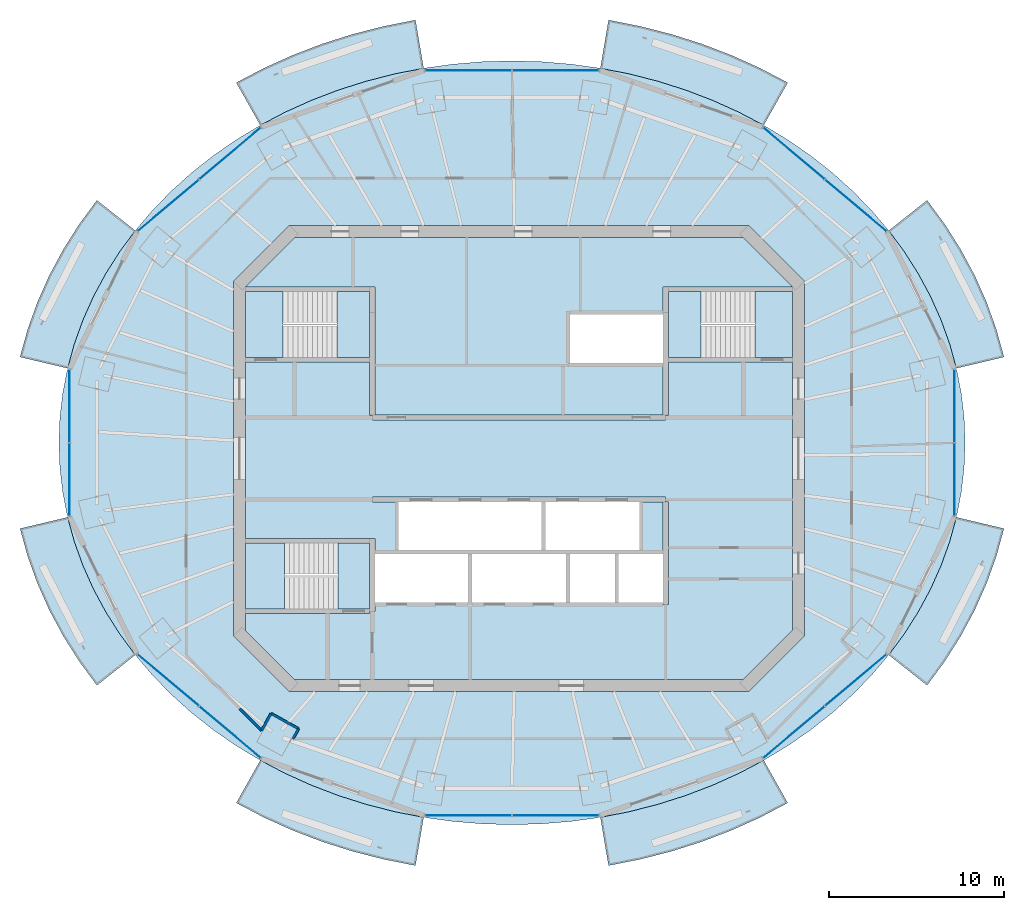
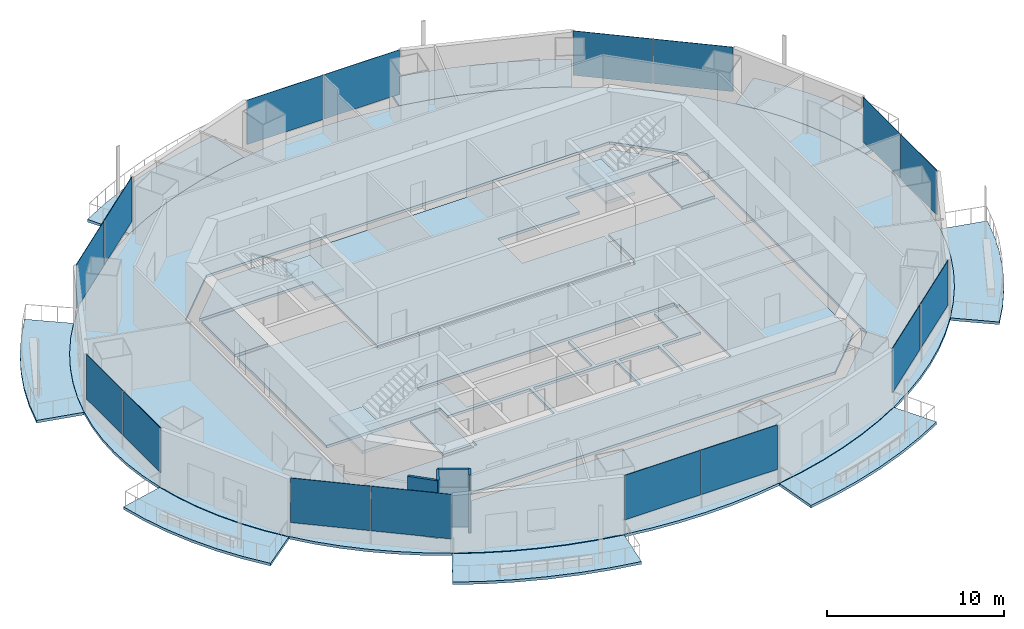
# One storey, part 7 of 16: 17 slabs, 16 plates, 4 walls, 11 elements without a shape of their own.
"""IFC4 building model written with IfcOpenShell, lengths in metres."""

from ifc_helpers import new_model, si_unit, direction, frame, frame_2d, origin, origin_2d, place, context, subcontext, project, spatial, polyline, rectangle, outline, extrude, material, layer, layer_set, type_object, element, aggregate, save


model = new_model("IFC4")

# Units and contexts
model_context = context("Model", 3, precision=1e-05, world=origin(), true_north=direction((0.0, 1.0)))
body_context = subcontext(model_context, "Body", "Model", "MODEL_VIEW")
ifc_project = project(units=[si_unit("LENGTHUNIT", "METRE"), si_unit("AREAUNIT", "SQUARE_METRE"), si_unit("VOLUMEUNIT", "CUBIC_METRE"), si_unit("PLANEANGLEUNIT", "RADIAN"), si_unit("MASSUNIT", "GRAM", prefix="KILO")], contexts=[model_context])

# Site, building, storey
site_placement = place(None, origin())
site = spatial("IfcSite", under=ifc_project, at=site_placement, CompositionType="ELEMENT")
building_placement = place(site_placement, origin())
building = spatial("IfcBuilding", under=site, at=building_placement, Name="Marenthal Gate Tower", CompositionType="ELEMENT")
storey_placement = place(building_placement, frame((0.0, 0.0, 375.800048828125)))
storey = spatial("IfcBuildingStorey", under=building, at=storey_placement, Name="L85", CompositionType="ELEMENT", Elevation=375.800048828125)

# Slabs
ifc_material_1 = material(Name="Concrete 40 MPa", Category="concrete")
ifc_layer_1 = layer(ifc_material_1, 0.179931640625)
ifc_layer_set_1 = layer_set([ifc_layer_1], Name="Balcony deck 180")
slab_type_1 = type_object("IfcSlabType", Name="Balcony deck 180", PredefinedType="USERDEFINED", material=ifc_layer_set_1)
slab_1_placement = place(storey_placement, frame((0.0, 0.0, -0.219970703125)))
element("IfcSlab", 1, at=slab_1_placement, inside=storey, type_object=slab_type_1, Name="Balcony deck L85 bay 1", ObjectType="BALCONY", PredefinedType="USERDEFINED", context=body_context, shape_type="SweptSolid", body=[
    extrude(outline(polyline([(25.04345703125, 5.16552734375), (24.657958984375, 6.55908203125), (24.165283203125, 7.92822265625), (23.5673828125, 9.267333984375), (22.86669921875, 10.570556640625), (22.06640625, 11.83251953125), (21.169921875, 13.047607421875), (23.3642578125, 14.786865234375), (24.37646484375, 13.414794921875), (25.283447265625, 11.984619140625), (26.080322265625, 10.50244140625), (26.762451171875, 8.974365234375), (27.326416015625, 7.407470703125), (27.7685546875, 5.808837890625), (25.04345703125, 5.16552734375)])), origin(), (0.0, 0.0, 1.0), 0.179931640625),
])
slab_2_placement = place(storey_placement, frame((0.0, 0.0, -0.219970703125)))
element("IfcSlab", 2, at=slab_2_placement, inside=storey, type_object=slab_type_1, Name="Balcony deck L85 bay 3", ObjectType="BALCONY", PredefinedType="USERDEFINED", context=body_context, shape_type="SweptSolid", body=[
    extrude(outline(polyline([(14.0126953125, 19.080078125), (12.571044921875, 19.835693359375), (11.073974609375, 20.510009765625), (9.527587890625, 21.1005859375), (7.938720703125, 21.6044921875), (6.314208984375, 22.02001953125), (4.660888671875, 22.344970703125), (5.1240234375, 25.1064453125), (6.93115234375, 24.751220703125), (8.708984375, 24.296630859375), (10.450439453125, 23.744140625), (12.148681640625, 23.095703125), (13.796142578125, 22.353271484375), (15.386474609375, 21.519775390625), (14.0126953125, 19.080078125)])), origin(), (0.0, 0.0, 1.0), 0.179931640625),
])
slab_3_placement = place(storey_placement, frame((0.0, 0.0, -0.219970703125)))
element("IfcSlab", 3, at=slab_3_placement, inside=storey, type_object=slab_type_1, Name="Balcony deck L85 bay 5", ObjectType="BALCONY", PredefinedType="USERDEFINED", context=body_context, shape_type="SweptSolid", body=[
    extrude(outline(polyline([(-5.4609375, 22.344970703125), (-7.1142578125, 22.02001953125), (-8.73876953125, 21.6044921875), (-10.32763671875, 21.1005859375), (-11.873779296875, 20.510009765625), (-13.37109375, 19.835693359375), (-14.8125, 19.080078125), (-16.1865234375, 21.519775390625), (-14.59619140625, 22.353271484375), (-12.948486328125, 23.095703125), (-11.25048828125, 23.744140625), (-9.509033203125, 24.296630859375), (-7.731201171875, 24.751220703125), (-5.924072265625, 25.1064453125), (-5.4609375, 22.344970703125)])), origin(), (0.0, 0.0, 1.0), 0.179931640625),
])
slab_4_placement = place(storey_placement, frame((0.0, 0.0, -0.219970703125)))
element("IfcSlab", 4, at=slab_4_placement, inside=storey, type_object=slab_type_1, Name="Balcony deck L85 bay 7", ObjectType="BALCONY", PredefinedType="USERDEFINED", context=body_context, shape_type="SweptSolid", body=[
    extrude(outline(polyline([(-21.969970703125, 13.047607421875), (-22.866455078125, 11.83251953125), (-23.666748046875, 10.570556640625), (-24.3671875, 9.267333984375), (-24.96533203125, 7.92822265625), (-25.4580078125, 6.55908203125), (-25.843505859375, 5.16552734375), (-28.568603515625, 5.808837890625), (-28.12646484375, 7.407470703125), (-27.5625, 8.974365234375), (-26.880126953125, 10.50244140625), (-26.08349609375, 11.984619140625), (-25.176513671875, 13.414794921875), (-24.1640625, 14.786865234375), (-21.969970703125, 13.047607421875)])), origin(), (0.0, 0.0, 1.0), 0.179931640625),
])
slab_5_placement = place(storey_placement, frame((0.0, 0.0, -0.219970703125)))
element("IfcSlab", 5, at=slab_5_placement, inside=storey, type_object=slab_type_1, Name="Balcony deck L85 bay 9", ObjectType="BALCONY", PredefinedType="USERDEFINED", context=body_context, shape_type="SweptSolid", body=[
    extrude(outline(polyline([(-25.843505859375, -3.365478515625), (-25.4580078125, -4.759033203125), (-24.96533203125, -6.12841796875), (-24.3671875, -7.46728515625), (-23.666748046875, -8.7705078125), (-22.866455078125, -10.032470703125), (-21.969970703125, -11.24755859375), (-24.1640625, -12.987060546875), (-25.176513671875, -11.61474609375), (-26.08349609375, -10.1845703125), (-26.880126953125, -8.702392578125), (-27.5625, -7.17431640625), (-28.12646484375, -5.607421875), (-28.568603515625, -4.0087890625), (-25.843505859375, -3.365478515625)])), origin(), (0.0, 0.0, 1.0), 0.179931640625),
])
slab_6_placement = place(storey_placement, frame((0.0, 0.0, -0.219970703125)))
element("IfcSlab", 6, at=slab_6_placement, inside=storey, type_object=slab_type_1, Name="Balcony deck L85 bay 11", ObjectType="BALCONY", PredefinedType="USERDEFINED", context=body_context, shape_type="SweptSolid", body=[
    extrude(outline(polyline([(-14.8125, -17.280029296875), (-13.37109375, -18.03564453125), (-11.873779296875, -18.710205078125), (-10.32763671875, -19.300537109375), (-8.73876953125, -19.8046875), (-7.1142578125, -20.219970703125), (-5.4609375, -20.544921875), (-5.924072265625, -23.306396484375), (-7.731201171875, -22.951171875), (-9.509033203125, -22.49658203125), (-11.25048828125, -21.944091796875), (-12.948486328125, -21.295654296875), (-14.59619140625, -20.55322265625), (-16.1865234375, -19.7197265625), (-14.8125, -17.280029296875)])), origin(), (0.0, 0.0, 1.0), 0.179931640625),
])
slab_7_placement = place(storey_placement, frame((0.0, 0.0, -0.219970703125)))
element("IfcSlab", 7, at=slab_7_placement, inside=storey, type_object=slab_type_1, Name="Balcony deck L85 bay 13", ObjectType="BALCONY", PredefinedType="USERDEFINED", context=body_context, shape_type="SweptSolid", body=[
    extrude(outline(polyline([(4.660888671875, -20.544921875), (6.314208984375, -20.219970703125), (7.938720703125, -19.8046875), (9.527587890625, -19.300537109375), (11.073974609375, -18.710205078125), (12.571044921875, -18.03564453125), (14.0126953125, -17.280029296875), (15.386474609375, -19.7197265625), (13.796142578125, -20.55322265625), (12.148681640625, -21.295654296875), (10.450439453125, -21.944091796875), (8.708984375, -22.49658203125), (6.93115234375, -22.951171875), (5.1240234375, -23.306396484375), (4.660888671875, -20.544921875)])), origin(), (0.0, 0.0, 1.0), 0.179931640625),
])
slab_8_placement = place(storey_placement, frame((0.0, 0.0, -0.219970703125)))
element("IfcSlab", 8, at=slab_8_placement, inside=storey, type_object=slab_type_1, Name="Balcony deck L85 bay 15", ObjectType="BALCONY", PredefinedType="USERDEFINED", context=body_context, shape_type="SweptSolid", body=[
    extrude(outline(polyline([(21.169921875, -11.24755859375), (22.06640625, -10.032470703125), (22.86669921875, -8.7705078125), (23.5673828125, -7.46728515625), (24.165283203125, -6.12841796875), (24.657958984375, -4.759033203125), (25.04345703125, -3.365478515625), (27.7685546875, -4.0087890625), (27.326416015625, -5.607421875), (26.762451171875, -7.17431640625), (26.080322265625, -8.702392578125), (25.283447265625, -10.1845703125), (24.37646484375, -11.61474609375), (23.3642578125, -12.987060546875), (21.169921875, -11.24755859375)])), origin(), (0.0, 0.0, 1.0), 0.179931640625),
])
ifc_material_2 = material(Name="Concrete 50 MPa", Category="concrete")
ifc_layer_2 = layer(ifc_material_2, 0.179931640625)
ifc_layer_set_2 = layer_set([ifc_layer_2], Name="Core floor slab 180")
slab_type_2 = type_object("IfcSlabType", Name="Core floor slab 180", PredefinedType="FLOOR", material=ifc_layer_set_2)
slab_9_placement = place(storey_placement, frame((0.0, 0.0, -0.179931640625)))
element("IfcSlab", 9, at=slab_9_placement, inside=storey, type_object=slab_type_2, Name="Core floor L85", PredefinedType="FLOOR", context=body_context, shape_type="SweptSolid", body=[
    extrude(outline(polyline([(12.85498046875, -12.64990234375), (-12.85498046875, -12.64990234375), (-15.64990234375, -9.85498046875), (-15.64990234375, -8.875), (-8.550048828125, -8.875), (-8.550048828125, -8.75), (-8.25, -8.75), (-8.25, -8.239990234375), (-5.60009765625, -8.239990234375), (-2.909912109375, -8.239990234375), (-2.909912109375, -5.4599609375), (-5.60009765625, -5.4599609375), (-8.25, -5.4599609375), (-8.25, -4.574951171875), (-8.550048828125, -4.574951171875), (-15.64990234375, -4.574951171875), (-15.64990234375, 5.52490234375), (-8.550048828125, 5.52490234375), (-8.550048828125, 2.5), (-8.39990234375, 2.5), (-8.39990234375, 2.199951171875), (8.39990234375, 2.199951171875), (8.39990234375, 2.5), (8.550048828125, 2.5), (8.550048828125, 5.52490234375), (15.64990234375, 5.52490234375), (15.64990234375, -9.85498046875), (12.85498046875, -12.64990234375)]), holes=[polyline([(0.0, -8.239990234375), (2.68994140625, -8.239990234375), (2.68994140625, -5.4599609375), (0.0, -5.4599609375), (-2.68994140625, -5.4599609375), (-2.68994140625, -8.239990234375), (0.0, -8.239990234375)]), polyline([(1.2900390625, -5.239990234375), (1.2900390625, -2.5), (1.510009765625, -2.5), (1.510009765625, -5.239990234375), (4.199951171875, -5.239990234375), (6.889892578125, -5.239990234375), (6.889892578125, -2.5), (8.25, -2.5), (8.25, -5.4599609375), (5.7099609375, -5.4599609375), (5.7099609375, -8.239990234375), (8.25, -8.239990234375), (8.25, -8.35009765625), (8.550048828125, -8.35009765625), (8.550048828125, -2.5), (8.39990234375, -2.5), (8.39990234375, -2.199951171875), (-8.39990234375, -2.199951171875), (-8.39990234375, -2.5), (-6.889892578125, -2.5), (-6.889892578125, -5.239990234375), (-4.199951171875, -5.239990234375), (-1.39990234375, -5.239990234375), (1.2900390625, -5.239990234375)]), polyline([(5.489990234375, -5.4599609375), (2.909912109375, -5.4599609375), (2.909912109375, -8.239990234375), (5.489990234375, -8.239990234375), (5.489990234375, -5.4599609375)])]), origin(), (0.0, 0.0, 1.0), 0.179931640625),
])
slab_10_placement = place(storey_placement, frame((0.0, 0.0, -0.179931640625)))
element("IfcSlab", 10, at=slab_10_placement, inside=storey, type_object=slab_type_2, Name="Core floor L85", PredefinedType="FLOOR", context=body_context, shape_type="SweptSolid", body=[
    extrude(outline(polyline([(15.64990234375, 5.77490234375), (13.5, 5.77490234375), (13.5, 9.574951171875), (15.64990234375, 9.574951171875), (15.64990234375, 5.77490234375)])), origin(), (0.0, 0.0, 1.0), 0.179931640625),
])
slab_11_placement = place(storey_placement, frame((0.0, 0.0, -0.179931640625)))
element("IfcSlab", 11, at=slab_11_placement, inside=storey, type_object=slab_type_2, Name="Core floor L85", PredefinedType="FLOOR", context=body_context, shape_type="SweptSolid", body=[
    extrude(outline(polyline([(15.64990234375, 9.824951171875), (8.550048828125, 9.824951171875), (8.25, 9.824951171875), (8.25, 8.35009765625), (8.25, 8.239990234375), (5.60009765625, 8.239990234375), (2.909912109375, 8.239990234375), (2.909912109375, 5.4599609375), (5.60009765625, 5.4599609375), (8.25, 5.4599609375), (8.25, 2.5), (-8.25, 2.5), (-8.25, 8.35009765625), (-8.25, 9.824951171875), (-8.550048828125, 9.824951171875), (-15.64990234375, 9.824951171875), (-15.64990234375, 9.85498046875), (-12.85498046875, 12.64990234375), (12.85498046875, 12.64990234375), (15.64990234375, 9.85498046875), (15.64990234375, 9.824951171875)])), origin(), (0.0, 0.0, 1.0), 0.179931640625),
])
slab_12_placement = place(storey_placement, frame((0.0, 0.0, -0.179931640625)))
element("IfcSlab", 12, at=slab_12_placement, inside=storey, type_object=slab_type_2, Name="Core floor L85", PredefinedType="FLOOR", context=body_context, shape_type="SweptSolid", body=[
    extrude(outline(polyline([(-15.64990234375, 9.574951171875), (-13.5, 9.574951171875), (-13.5, 5.77490234375), (-15.64990234375, 5.77490234375), (-15.64990234375, 9.574951171875)])), origin(), (0.0, 0.0, 1.0), 0.179931640625),
])
slab_13_placement = place(storey_placement, frame((0.0, 0.0, -0.179931640625)))
element("IfcSlab", 13, at=slab_13_placement, inside=storey, type_object=slab_type_2, Name="Core floor L85", PredefinedType="FLOOR", context=body_context, shape_type="SweptSolid", body=[
    extrude(outline(polyline([(-8.550048828125, -4.824951171875), (-8.550048828125, -8.625), (-10.35009765625, -8.625), (-10.35009765625, -4.824951171875), (-8.550048828125, -4.824951171875)])), origin(), (0.0, 0.0, 1.0), 0.179931640625),
])
ifc_material_3 = material(Name="Concrete 35 MPa", Category="concrete")
ifc_layer_3 = layer(ifc_material_3, 0.179931640625)
ifc_layer_set_3 = layer_set([ifc_layer_3], Name="Floor slab 180")
slab_type_3 = type_object("IfcSlabType", Name="Floor slab 180", PredefinedType="FLOOR", material=ifc_layer_set_3)
slab_14_placement = place(storey_placement, frame((0.0, 0.0, -0.179931640625)))
element("IfcSlab", 14, at=slab_14_placement, inside=storey, type_object=slab_type_3, Name="SL-L85-01", PredefinedType="FLOOR", context=body_context, shape_type="SweptSolid", body=[
    extrude(outline(polyline([(25.5419921875, 0.89990234375), (25.486572265625, 2.330078125), (25.320068359375, 3.75390625), (25.04345703125, 5.16552734375), (24.657958984375, 6.55908203125), (24.165283203125, 7.92822265625), (23.5673828125, 9.267333984375), (22.86669921875, 10.570556640625), (22.06640625, 11.83251953125), (21.169921875, 13.047607421875), (20.18115234375, 14.210693359375), (19.104248046875, 15.316650390625), (17.94384765625, 16.36083984375), (16.70458984375, 17.339111328125), (15.392578125, 18.24658203125), (14.0126953125, 19.080078125), (12.571044921875, 19.835693359375), (11.073974609375, 20.510009765625), (9.527587890625, 21.1005859375), (7.938720703125, 21.6044921875), (6.314208984375, 22.02001953125), (4.660888671875, 22.344970703125), (2.986083984375, 22.577880859375), (1.296630859375, 22.71826171875), (-0.39990234375, 22.764892578125), (-2.0966796875, 22.71826171875), (-3.7861328125, 22.577880859375), (-5.4609375, 22.344970703125), (-7.1142578125, 22.02001953125), (-8.73876953125, 21.6044921875), (-10.32763671875, 21.1005859375), (-11.873779296875, 20.510009765625), (-13.37109375, 19.835693359375), (-14.8125, 19.080078125), (-16.1923828125, 18.24658203125), (-17.504638671875, 17.339111328125), (-18.743896484375, 16.36083984375), (-19.904296875, 15.316650390625), (-20.981201171875, 14.210693359375), (-21.969970703125, 13.047607421875), (-22.866455078125, 11.83251953125), (-23.666748046875, 10.570556640625), (-24.3671875, 9.267333984375), (-24.96533203125, 7.92822265625), (-25.4580078125, 6.55908203125), (-25.843505859375, 5.16552734375), (-26.1201171875, 3.75390625), (-26.28662109375, 2.330078125), (-26.342041015625, 0.89990234375), (-26.28662109375, -0.530029296875), (-26.1201171875, -1.9541015625), (-25.843505859375, -3.365478515625), (-25.4580078125, -4.759033203125), (-24.96533203125, -6.12841796875), (-24.3671875, -7.46728515625), (-23.666748046875, -8.7705078125), (-22.866455078125, -10.032470703125), (-21.969970703125, -11.24755859375), (-20.981201171875, -12.41064453125), (-19.904296875, -13.5166015625), (-18.743896484375, -14.560791015625), (-17.504638671875, -15.5390625), (-16.1923828125, -16.44677734375), (-14.8125, -17.280029296875), (-13.37109375, -18.03564453125), (-11.873779296875, -18.710205078125), (-10.32763671875, -19.300537109375), (-8.73876953125, -19.8046875), (-7.1142578125, -20.219970703125), (-5.4609375, -20.544921875), (-3.7861328125, -20.77783203125), (-2.0966796875, -20.918212890625), (-0.39990234375, -20.965087890625), (1.296630859375, -20.918212890625), (2.986083984375, -20.77783203125), (4.660888671875, -20.544921875), (6.314208984375, -20.219970703125), (7.938720703125, -19.8046875), (9.527587890625, -19.300537109375), (11.073974609375, -18.710205078125), (12.571044921875, -18.03564453125), (14.0126953125, -17.280029296875), (15.392578125, -16.44677734375), (16.70458984375, -15.5390625), (17.94384765625, -14.560791015625), (19.104248046875, -13.5166015625), (20.18115234375, -12.41064453125), (21.169921875, -11.24755859375), (22.06640625, -10.032470703125), (22.86669921875, -8.7705078125), (23.5673828125, -7.46728515625), (24.165283203125, -6.12841796875), (24.657958984375, -4.759033203125), (25.04345703125, -3.365478515625), (25.320068359375, -1.9541015625), (25.486572265625, -0.530029296875), (25.5419921875, 0.89990234375)]), holes=[polyline([(13.14501953125, -13.35009765625), (16.35009765625, -10.14501953125), (16.35009765625, 10.14501953125), (13.14501953125, 13.35009765625), (-13.14501953125, 13.35009765625), (-16.35009765625, 10.14501953125), (-16.35009765625, -10.14501953125), (-13.14501953125, -13.35009765625), (13.14501953125, -13.35009765625)])]), origin(), (0.0, 0.0, 1.0), 0.179931640625),
])

# Curtain wall, plates
ifc_material_4 = material(Name="Aluminium and glass", Category="aluminium")
curtain_wall_type = type_object("IfcCurtainWallType", Name="Curtain wall typical high", PredefinedType="NOTDEFINED", material=ifc_material_4)
curtain_wall_1_placement = place(storey_placement, origin())
curtain_wall_1 = element("IfcCurtainWall", 15, at=curtain_wall_1_placement, inside=storey, type_object=curtain_wall_type, Name="Curtain wall L85 bay 2", PredefinedType="NOTDEFINED")
ifc_material_5 = material(Name="Glass, laminated insulating unit", Category="glass")
ifc_layer_4 = layer(ifc_material_5, 0.031982421875)
ifc_layer_set_4 = layer_set([ifc_layer_4], Name="Glass panel 32 typical high")
plate_type = type_object("IfcPlateType", Name="Glass panel 32 typical high", PredefinedType="CURTAIN_PANEL", material=ifc_layer_set_4)
plate_1_placement = place(storey_placement, frame((19.277587890625, 14.490478515625, 0.89990234375), z_axis=(0.0, 0.0, 1.0), x_axis=(-0.764911754961, 0.64413508453, 0.0)))
plate_1 = element("IfcPlate", 16, at=plate_1_placement, type_object=plate_type, Name="Glass panel L85 bay 2.1", PredefinedType="CURTAIN_PANEL", context=body_context, shape_type="SweptSolid", body=[
    extrude(rectangle(XDim=4.56689453125, YDim=0.031982421875, at=origin_2d()), origin(), (0.0, 0.0, 1.0), 3.070068359375),
])
plate_2_placement = place(storey_placement, frame((15.738525390625, 17.470703125, 0.89990234375), z_axis=(0.0, 0.0, 1.0), x_axis=(-0.764911754961, 0.64413508453, 0.0)))
plate_2 = element("IfcPlate", 17, at=plate_2_placement, type_object=plate_type, Name="Glass panel L85 bay 2.2", PredefinedType="CURTAIN_PANEL", context=body_context, shape_type="SweptSolid", body=[
    extrude(rectangle(XDim=4.56689453125, YDim=0.031982421875, at=origin_2d()), origin(), (0.0, 0.0, 1.0), 3.070068359375),
])
aggregate(curtain_wall_1, [plate_1, plate_2])

curtain_wall_2_placement = place(storey_placement, origin())
curtain_wall_2 = element("IfcCurtainWall", 18, at=curtain_wall_2_placement, inside=storey, type_object=curtain_wall_type, Name="Curtain wall L85 bay 4", PredefinedType="NOTDEFINED")
plate_3_placement = place(storey_placement, frame((2.103759765625, 22.227294921875, 0.89990234375), z_axis=(0.0, 0.0, 1.0), x_axis=(-1.0, 0.0, 0.0)))
plate_3 = element("IfcPlate", 19, at=plate_3_placement, type_object=plate_type, Name="Glass panel L85 bay 4.1", PredefinedType="CURTAIN_PANEL", context=body_context, shape_type="SweptSolid", body=[
    extrude(rectangle(XDim=4.947509765625, YDim=0.031982421875, at=origin_2d()), origin(), (0.0, 0.0, 1.0), 3.070068359375),
])
plate_4_placement = place(storey_placement, frame((-2.90380859375, 22.227294921875, 0.89990234375), z_axis=(0.0, 0.0, 1.0), x_axis=(-1.0, 0.0, 0.0)))
plate_4 = element("IfcPlate", 20, at=plate_4_placement, type_object=plate_type, Name="Glass panel L85 bay 4.2", PredefinedType="CURTAIN_PANEL", context=body_context, shape_type="SweptSolid", body=[
    extrude(rectangle(XDim=4.947509765625, YDim=0.031982421875, at=origin_2d()), origin(), (0.0, 0.0, 1.0), 3.070068359375),
])
aggregate(curtain_wall_2, [plate_3, plate_4])

curtain_wall_3_placement = place(storey_placement, origin())
curtain_wall_3 = element("IfcCurtainWall", 21, at=curtain_wall_3_placement, inside=storey, type_object=curtain_wall_type, Name="Curtain wall L85 bay 6", PredefinedType="NOTDEFINED")
plate_5_placement = place(storey_placement, frame((-16.538330078125, 17.470703125, 0.89990234375), z_axis=(0.0, 0.0, 1.0), x_axis=(-0.764911754961, -0.64413508453, 0.0)))
plate_5 = element("IfcPlate", 22, at=plate_5_placement, type_object=plate_type, Name="Glass panel L85 bay 6.1", PredefinedType="CURTAIN_PANEL", context=body_context, shape_type="SweptSolid", body=[
    extrude(rectangle(XDim=4.56689453125, YDim=0.031982421875, at=origin_2d()), origin(), (0.0, 0.0, 1.0), 3.070068359375),
])
plate_6_placement = place(storey_placement, frame((-20.07763671875, 14.490478515625, 0.89990234375), z_axis=(0.0, 0.0, 1.0), x_axis=(-0.764911754961, -0.64413508453, 0.0)))
plate_6 = element("IfcPlate", 23, at=plate_6_placement, type_object=plate_type, Name="Glass panel L85 bay 6.2", PredefinedType="CURTAIN_PANEL", context=body_context, shape_type="SweptSolid", body=[
    extrude(rectangle(XDim=4.56689453125, YDim=0.031982421875, at=origin_2d()), origin(), (0.0, 0.0, 1.0), 3.070068359375),
])
aggregate(curtain_wall_3, [plate_5, plate_6])

curtain_wall_4_placement = place(storey_placement, origin())
curtain_wall_4 = element("IfcCurtainWall", 24, at=curtain_wall_4_placement, inside=storey, type_object=curtain_wall_type, Name="Curtain wall L85 bay 8", PredefinedType="NOTDEFINED")
plate_7_placement = place(storey_placement, frame((-25.725830078125, 3.006103515625, 0.89990234375), z_axis=(0.0, 0.0, 1.0), x_axis=(0.0, -1.0, 0.0)))
plate_7 = element("IfcPlate", 25, at=plate_7_placement, type_object=plate_type, Name="Glass panel L85 bay 8.1", PredefinedType="CURTAIN_PANEL", context=body_context, shape_type="SweptSolid", body=[
    extrude(rectangle(XDim=4.152099609375, YDim=0.031982421875, at=origin_2d()), origin(), (0.0, 0.0, 1.0), 3.070068359375),
])
plate_8_placement = place(storey_placement, frame((-25.725830078125, -1.2060546875, 0.89990234375), z_axis=(0.0, 0.0, 1.0), x_axis=(0.0, -1.0, 0.0)))
plate_8 = element("IfcPlate", 26, at=plate_8_placement, type_object=plate_type, Name="Glass panel L85 bay 8.2", PredefinedType="CURTAIN_PANEL", context=body_context, shape_type="SweptSolid", body=[
    extrude(rectangle(XDim=4.152099609375, YDim=0.031982421875, at=origin_2d()), origin(), (0.0, 0.0, 1.0), 3.070068359375),
])
aggregate(curtain_wall_4, [plate_7, plate_8])

curtain_wall_5_placement = place(storey_placement, origin())
curtain_wall_5 = element("IfcCurtainWall", 27, at=curtain_wall_5_placement, inside=storey, type_object=curtain_wall_type, Name="Curtain wall L85 bay 10", PredefinedType="NOTDEFINED")
plate_9_placement = place(storey_placement, frame((-20.07763671875, -12.6904296875, 0.89990234375), z_axis=(0.0, 0.0, 1.0), x_axis=(0.764911754961, -0.64413508453, 0.0)))
plate_9 = element("IfcPlate", 28, at=plate_9_placement, type_object=plate_type, Name="Glass panel L85 bay 10.1", PredefinedType="CURTAIN_PANEL", context=body_context, shape_type="SweptSolid", body=[
    extrude(rectangle(XDim=4.56689453125, YDim=0.031982421875, at=origin_2d()), origin(), (0.0, 0.0, 1.0), 3.070068359375),
])
plate_10_placement = place(storey_placement, frame((-16.53857421875, -15.6708984375, 0.89990234375), z_axis=(0.0, 0.0, 1.0), x_axis=(0.764911754961, -0.64413508453, 0.0)))
plate_10 = element("IfcPlate", 29, at=plate_10_placement, type_object=plate_type, Name="Glass panel L85 bay 10.2", PredefinedType="CURTAIN_PANEL", context=body_context, shape_type="SweptSolid", body=[
    extrude(rectangle(XDim=4.56689453125, YDim=0.031982421875, at=origin_2d()), origin(), (0.0, 0.0, 1.0), 3.070068359375),
])
aggregate(curtain_wall_5, [plate_9, plate_10])

curtain_wall_6_placement = place(storey_placement, origin())
curtain_wall_6 = element("IfcCurtainWall", 30, at=curtain_wall_6_placement, inside=storey, type_object=curtain_wall_type, Name="Curtain wall L85 bay 12", PredefinedType="NOTDEFINED")
plate_11_placement = place(storey_placement, frame((-2.90380859375, -20.42724609375, 0.89990234375), z_axis=(0.0, 0.0, 1.0), x_axis=(1.0, 0.0, 0.0)))
plate_11 = element("IfcPlate", 31, at=plate_11_placement, type_object=plate_type, Name="Glass panel L85 bay 12.1", PredefinedType="CURTAIN_PANEL", context=body_context, shape_type="SweptSolid", body=[
    extrude(rectangle(XDim=4.947509765625, YDim=0.031982421875, at=origin_2d()), origin(), (0.0, 0.0, 1.0), 3.070068359375),
])
plate_12_placement = place(storey_placement, frame((2.103759765625, -20.42724609375, 0.89990234375), z_axis=(0.0, 0.0, 1.0), x_axis=(1.0, 0.0, 0.0)))
plate_12 = element("IfcPlate", 32, at=plate_12_placement, type_object=plate_type, Name="Glass panel L85 bay 12.2", PredefinedType="CURTAIN_PANEL", context=body_context, shape_type="SweptSolid", body=[
    extrude(rectangle(XDim=4.947509765625, YDim=0.031982421875, at=origin_2d()), origin(), (0.0, 0.0, 1.0), 3.070068359375),
])
aggregate(curtain_wall_6, [plate_11, plate_12])

curtain_wall_7_placement = place(storey_placement, origin())
curtain_wall_7 = element("IfcCurtainWall", 33, at=curtain_wall_7_placement, inside=storey, type_object=curtain_wall_type, Name="Curtain wall L85 bay 14", PredefinedType="NOTDEFINED")
plate_13_placement = place(storey_placement, frame((15.738525390625, -15.6708984375, 0.89990234375), z_axis=(0.0, 0.0, 1.0), x_axis=(0.764911754961, 0.64413508453, 0.0)))
plate_13 = element("IfcPlate", 34, at=plate_13_placement, type_object=plate_type, Name="Glass panel L85 bay 14.1", PredefinedType="CURTAIN_PANEL", context=body_context, shape_type="SweptSolid", body=[
    extrude(rectangle(XDim=4.56689453125, YDim=0.031982421875, at=origin_2d()), origin(), (0.0, 0.0, 1.0), 3.070068359375),
])
plate_14_placement = place(storey_placement, frame((19.277587890625, -12.6904296875, 0.89990234375), z_axis=(0.0, 0.0, 1.0), x_axis=(0.764911754961, 0.64413508453, 0.0)))
plate_14 = element("IfcPlate", 35, at=plate_14_placement, type_object=plate_type, Name="Glass panel L85 bay 14.2", PredefinedType="CURTAIN_PANEL", context=body_context, shape_type="SweptSolid", body=[
    extrude(rectangle(XDim=4.56689453125, YDim=0.031982421875, at=origin_2d()), origin(), (0.0, 0.0, 1.0), 3.070068359375),
])
aggregate(curtain_wall_7, [plate_13, plate_14])

curtain_wall_8_placement = place(storey_placement, origin())
curtain_wall_8 = element("IfcCurtainWall", 36, at=curtain_wall_8_placement, inside=storey, type_object=curtain_wall_type, Name="Curtain wall L85 bay 16", PredefinedType="NOTDEFINED")
plate_15_placement = place(storey_placement, frame((24.92578125, -1.2060546875, 0.89990234375), z_axis=(0.0, 0.0, 1.0), x_axis=(0.0, 1.0, 0.0)))
plate_15 = element("IfcPlate", 37, at=plate_15_placement, type_object=plate_type, Name="Glass panel L85 bay 16.1", PredefinedType="CURTAIN_PANEL", context=body_context, shape_type="SweptSolid", body=[
    extrude(rectangle(XDim=4.152099609375, YDim=0.031982421875, at=origin_2d()), origin(), (0.0, 0.0, 1.0), 3.070068359375),
])
plate_16_placement = place(storey_placement, frame((24.92578125, 3.006103515625, 0.89990234375), z_axis=(0.0, 0.0, 1.0), x_axis=(0.0, 1.0, 0.0)))
plate_16 = element("IfcPlate", 38, at=plate_16_placement, type_object=plate_type, Name="Glass panel L85 bay 16.2", PredefinedType="CURTAIN_PANEL", context=body_context, shape_type="SweptSolid", body=[
    extrude(rectangle(XDim=4.152099609375, YDim=0.031982421875, at=origin_2d()), origin(), (0.0, 0.0, 1.0), 3.070068359375),
])
aggregate(curtain_wall_8, [plate_15, plate_16])

# Stair, slab
ifc_material_6 = material(Name="Concrete 40 MPa", Category="concrete")
stair_type = type_object("IfcStairType", Name="Exit stair 1800", PredefinedType="HALF_TURN_STAIR", material=ifc_material_6)
stair_1_placement = place(storey_placement, origin())
stair_1 = element("IfcStair", 39, at=stair_1_placement, inside=storey, type_object=stair_type, Name="Stair ST1", PredefinedType="HALF_TURN_STAIR")
ifc_material_7 = material(Name="Concrete 40 MPa", Category="concrete")
ifc_layer_5 = layer(ifc_material_7, 0.199951171875)
ifc_layer_set_5 = layer_set([ifc_layer_5], Name="Stair landing 200")
slab_type_4 = type_object("IfcSlabType", Name="Stair landing 200", PredefinedType="LANDING", material=ifc_layer_set_5)
slab_15_placement = place(storey_placement, frame((0.0, 0.0, 1.875)))
slab_15 = element("IfcSlab", 40, at=slab_15_placement, type_object=slab_type_4, Name="ST1 landing 1", PredefinedType="LANDING", context=body_context, shape_type="SweptSolid", body=[
    extrude(outline(polyline([(-10.419921875, 5.77490234375), (-8.550048828125, 5.77490234375), (-8.550048828125, 9.574951171875), (-10.419921875, 9.574951171875), (-10.419921875, 5.77490234375)])), origin(), (0.0, 0.0, 1.0), 0.199951171875),
])
aggregate(stair_1, [slab_15])

stair_2_placement = place(storey_placement, origin())
stair_2 = element("IfcStair", 41, at=stair_2_placement, inside=storey, type_object=stair_type, Name="Stair ST2", PredefinedType="HALF_TURN_STAIR")
slab_16_placement = place(storey_placement, frame((0.0, 0.0, 1.875)))
slab_16 = element("IfcSlab", 42, at=slab_16_placement, type_object=slab_type_4, Name="ST2 landing 1", PredefinedType="LANDING", context=body_context, shape_type="SweptSolid", body=[
    extrude(outline(polyline([(-15.64990234375, -8.625), (-13.429931640625, -8.625), (-13.429931640625, -4.824951171875), (-15.64990234375, -4.824951171875), (-15.64990234375, -8.625)])), origin(), (0.0, 0.0, 1.0), 0.199951171875),
])
aggregate(stair_2, [slab_16])

stair_3_placement = place(storey_placement, origin())
stair_3 = element("IfcStair", 43, at=stair_3_placement, inside=storey, type_object=stair_type, Name="Stair ST3", PredefinedType="HALF_TURN_STAIR")
slab_17_placement = place(storey_placement, frame((0.0, 0.0, 1.875)))
slab_17 = element("IfcSlab", 44, at=slab_17_placement, type_object=slab_type_4, Name="ST3 landing 1", PredefinedType="LANDING", context=body_context, shape_type="SweptSolid", body=[
    extrude(outline(polyline([(8.550048828125, 5.77490234375), (10.419921875, 5.77490234375), (10.419921875, 9.574951171875), (8.550048828125, 9.574951171875), (8.550048828125, 5.77490234375)])), origin(), (0.0, 0.0, 1.0), 0.199951171875),
])
aggregate(stair_3, [slab_17])

# Walls
ifc_material_8 = material(Name="Gypsum board on steel studs", Category="steel")
ifc_layer_6 = layer(ifc_material_8, 0.14990234375)
ifc_layer_set_6 = layer_set([ifc_layer_6], Name="Partition 150")
wall_type = type_object("IfcWallType", Name="Partition 150", PredefinedType="PARTITIONING", material=ifc_layer_set_6)
wall_1_placement = place(storey_placement, frame((-14.73681640625, -15.57666015625, 0.0), z_axis=(0.0, 0.0, 1.0), x_axis=(-0.707106781187, 0.707106781187, 0.0)))
element("IfcWall", 45, at=wall_1_placement, inside=storey, type_object=wall_type, Name="Partition wall 55", PredefinedType="PARTITIONING", context=body_context, shape_type="SweptSolid", body=[
    extrude(rectangle(XDim=1.776123046875, YDim=0.14990234375, at=frame_2d((0.88818359375, 0.0))), origin(), (0.0, 0.0, 1.0), 3.969970703125),
])
wall_2_placement = place(storey_placement, frame((-14.193115234375, -14.59912109375, 0.0), z_axis=(0.0, 0.0, 1.0), x_axis=(-0.486069101746, -0.873920378712, 0.0)))
element("IfcWall", 46, at=wall_2_placement, inside=storey, type_object=wall_type, Name="Partition wall 57", PredefinedType="PARTITIONING", context=body_context, shape_type="SweptSolid", body=[
    extrude(rectangle(XDim=1.11865234375, YDim=0.14990234375, at=frame_2d((0.559326171875, 0.0))), origin(), (0.0, 0.0, 1.0), 3.969970703125),
])
wall_3_placement = place(storey_placement, frame((-12.9404296875, -16.050048828125, 0.0), z_axis=(0.0, 0.0, 1.0), x_axis=(0.48586284539, 0.874035065355, 0.0)))
element("IfcWall", 47, at=wall_3_placement, inside=storey, type_object=wall_type, Name="Partition wall 58", PredefinedType="PARTITIONING", context=body_context, shape_type="SweptSolid", body=[
    extrude(rectangle(XDim=0.65966796875, YDim=0.14990234375, at=frame_2d((0.329833984375, 0.0))), origin(), (0.0, 0.0, 1.0), 3.969970703125),
])
wall_4_placement = place(storey_placement, frame((-12.619873046875, -15.473388671875, 0.0), z_axis=(0.0, 0.0, 1.0), x_axis=(-0.874099684617, 0.485746581411, 0.0)))
element("IfcWall", 48, at=wall_4_placement, inside=storey, type_object=wall_type, Name="Partition wall 59", PredefinedType="PARTITIONING", context=body_context, shape_type="SweptSolid", body=[
    extrude(rectangle(XDim=1.7998046875, YDim=0.14990234375, at=frame_2d((0.89990234375, 0.0))), origin(), (0.0, 0.0, 1.0), 3.969970703125),
])

save(model, "model.ifc")
